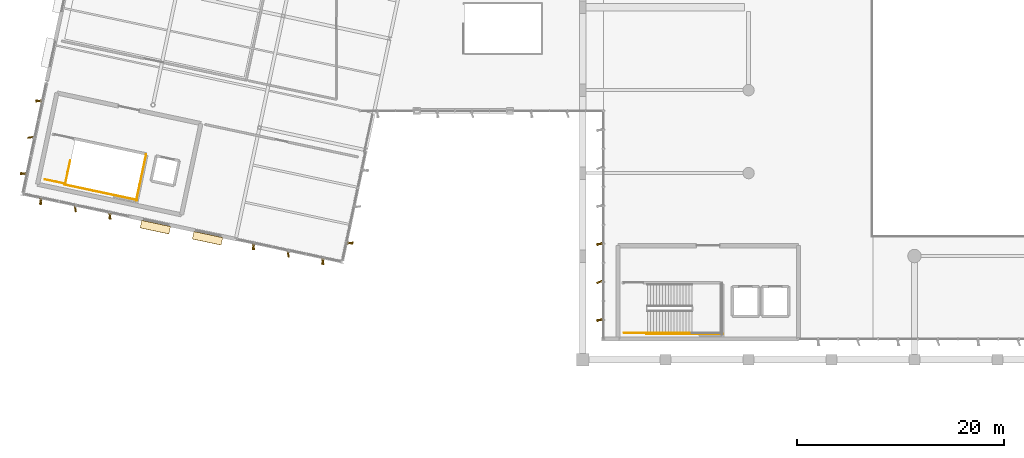
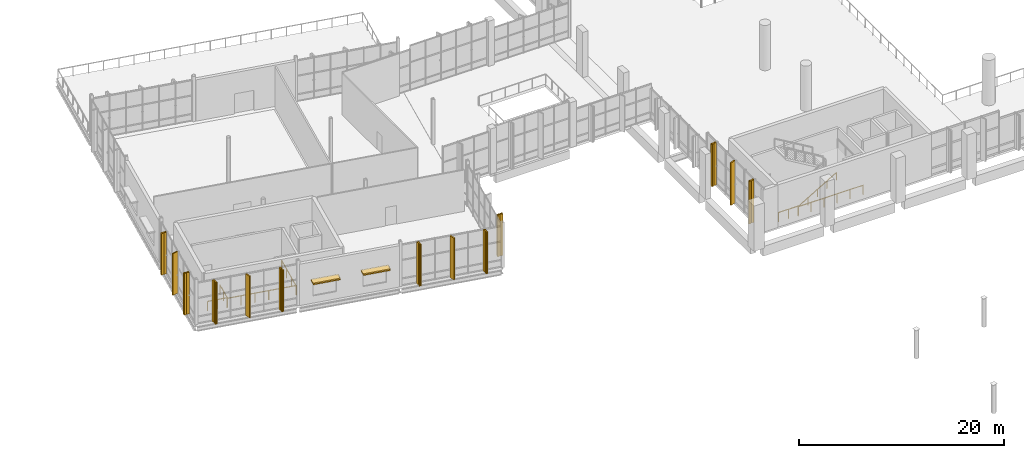
# One storey, part 159 of 176: 15 shading devices, 11 coverings, 7 railings.
"""IFC4 building model written with IfcOpenShell, lengths in metres."""

from ifc_helpers import new_model, si_unit, direction, frame, origin, origin_2d, place, context, subcontext, project, spatial, rectangle, extrude, material, layer, layer_set, type_object, element, save


model = new_model("IFC4")

# Units and contexts
model_context = context("Model", 3, precision=1e-05, world=origin(), true_north=direction((0.0, 1.0)))
body_context = subcontext(model_context, "Body", "Model", "MODEL_VIEW")
ifc_project = project(units=[si_unit("LENGTHUNIT", "METRE"), si_unit("AREAUNIT", "SQUARE_METRE"), si_unit("VOLUMEUNIT", "CUBIC_METRE"), si_unit("PLANEANGLEUNIT", "RADIAN"), si_unit("MASSUNIT", "GRAM", prefix="KILO")], contexts=[model_context])

# Site, building, storey
site_placement = place(None, origin())
site = spatial("IfcSite", under=ifc_project, at=site_placement, CompositionType="ELEMENT")
building_placement = place(site_placement, origin())
building = spatial("IfcBuilding", under=site, at=building_placement, Name="Khorjan Park Terminus", CompositionType="ELEMENT")
storey_placement = place(building_placement, frame((0.0, 0.0, 6.0)))
storey = spatial("IfcBuildingStorey", under=building, at=storey_placement, Name="L01", CompositionType="ELEMENT", Elevation=6.0)

# Coverings
ifc_material_1 = material(Name="Pigmented Precast GRC", Category="concrete")
ifc_layer_1 = layer(ifc_material_1, 0.16)
ifc_layer_set_1 = layer_set([ifc_layer_1], Name="Pigmented Precast GRC")
covering_type_1 = type_object("IfcCoveringType", Name="CV-FIN-GRC", PredefinedType="CLADDING", material=ifc_layer_set_1)
for number, where, z_axis, x_axis, name in (
    (1, (49.645, 37.1667, -0.02), (0.0, 0.0, 1.0), (1.0, 0.0, 0.0), "Projecting desert-sandstone GRC facade fin CL-FN1 (CW-V2-W-L01-01-1)"),
    (2, (49.645, 29.8333, -0.02), (0.0, 0.0, 1.0), (1.0, 0.0, 0.0), "Projecting desert-sandstone GRC facade fin CL-FN1 (CW-V2-W-L01-01-5)"),
):
    element("IfcCovering", number, at=place(storey_placement, frame(where, z_axis=z_axis, x_axis=x_axis)), inside=storey, type_object=covering_type_1, Name=name, PredefinedType="CLADDING", context=body_context, shape_type="SweptSolid", body=[
        extrude(rectangle(XDim=0.58, YDim=0.16, at=origin_2d()), origin(), (0.0, 0.0, 1.0), 5.065),
    ])
for number, where, z_axis, x_axis, name in (
    (3, (-4.2755, 41.2706, -0.02), (0.0, 0.0, 1.0), (0.207911690818, 0.978147600734, 0.0), "Projecting desert-sandstone GRC facade fin CL-FN1 (CW-V4-S-L01-B01-1)"),
    (4, (2.4087, 39.8498, -0.02), (0.0, 0.0, 1.0), (0.207911690818, 0.978147600734, 0.0), "Projecting desert-sandstone GRC facade fin CL-FN1 (CW-V4-S-L01-B01-5)"),
    (5, (16.2557, 36.9066, -0.02), (0.0, 0.0, 1.0), (0.207911690818, 0.978147600734, 0.0), "Projecting desert-sandstone GRC facade fin CL-FN1 (CW-V4-S-L01-B03-1)"),
    (6, (22.9399, 35.4858, -0.02), (0.0, 0.0, 1.0), (0.207911690818, 0.978147600734, 0.0), "Projecting desert-sandstone GRC facade fin CL-FN1 (CW-V4-S-L01-B03-5)"),
    (7, (25.5581, 37.2552, -0.02), (0.0, 0.0, 1.0), (-0.978147600734, 0.207911690818, 0.0), "Projecting desert-sandstone GRC facade fin CL-FN1 (CW-V4-E-L01-B01-1)"),
    (8, (-4.4593, 50.9557, -0.02), (0.0, 0.0, 1.0), (0.978147600734, -0.207911690818, 0.0), "Projecting desert-sandstone GRC facade fin CL-FN1 (CW-V4-W-L01-B03-1)"),
    (9, (-5.948, 43.9519, -0.02), (0.0, 0.0, 1.0), (0.978147600734, -0.207911690818, 0.0), "Projecting desert-sandstone GRC facade fin CL-FN1 (CW-V4-W-L01-B03-5)"),
):
    element("IfcCovering", number, at=place(storey_placement, frame(where, z_axis=z_axis, x_axis=x_axis)), inside=storey, type_object=covering_type_1, Name=name, PredefinedType="CLADDING", context=body_context, shape_type="SweptSolid", body=[
        extrude(rectangle(XDim=0.58, YDim=0.16, at=origin_2d()), origin(), (0.0, 0.0, 1.0), 4.97),
    ])
ifc_layer_2 = layer(ifc_material_1, 0.18)
ifc_layer_set_2 = layer_set([ifc_layer_2], Name="Pigmented Precast GRC")
covering_type_2 = type_object("IfcCoveringType", Name="CV-HOOD-GRC", PredefinedType="CLADDING", material=ifc_layer_set_2)
for number, where, z_axis, x_axis, name in (
    (10, (6.788, 38.7809, 2.73), (0.0, 0.0, 1.0), (0.978149513341, -0.207902692503, 0.0), "Projecting desert-sandstone GRC window eyebrow CL-HD1 (EW-V4-S-L01-B02-1)"),
    (11, (11.8203, 37.7113, 2.73), (0.0, 0.0, 1.0), (0.978149513341, -0.207902692503, 0.0), "Projecting desert-sandstone GRC window eyebrow CL-HD1 (EW-V4-S-L01-B02-2)"),
):
    element("IfcCovering", number, at=place(storey_placement, frame(where, z_axis=z_axis, x_axis=x_axis)), inside=storey, type_object=covering_type_2, Name=name, PredefinedType="CLADDING", context=body_context, shape_type="SweptSolid", body=[
        extrude(rectangle(XDim=2.84, YDim=0.74, at=origin_2d()), origin(), (0.0, 0.0, 1.0), 0.16),
    ])

# Railings
ifc_material_2 = material(Name="Steel S355", Category="steel")
railing_type_1 = type_object("IfcRailingType", Name="GR-112", PredefinedType="GUARDRAIL", material=ifc_material_2)
railing_1_placement = place(storey_placement, frame((52.0, 28.6, 0.0)))
element("IfcRailing", 12, at=railing_1_placement, inside=storey, type_object=railing_type_1, Name="L01 ST-01 stair guard 7", PredefinedType="GUARDRAIL", context=body_context, shape_type="SweptSolid", body=[
    extrude(rectangle(XDim=0.048, YDim=0.048, at=origin_2d()), frame((0.0, 0.0, 1.096), z_axis=(1.0, 0.0, 0.0), x_axis=(0.0, 1.0, 0.0)), (0.0, 0.0, 1.0), 2.26),
    extrude(rectangle(XDim=0.042, YDim=0.042, at=origin_2d()), origin(), (0.0, 0.0, 1.0), 1.072),
    extrude(rectangle(XDim=0.042, YDim=0.042, at=origin_2d()), frame((1.13, 0.0, 0.0)), (0.0, 0.0, 1.0), 1.072),
    extrude(rectangle(XDim=0.042, YDim=0.042, at=origin_2d()), frame((2.26, 0.0, 0.0)), (0.0, 0.0, 1.0), 1.072),
])
railing_2_placement = place(storey_placement, frame((54.16, 28.5, 0.0)))
element("IfcRailing", 13, at=railing_2_placement, inside=storey, type_object=railing_type_1, Name="L01 ST-01 stair guard 8", PredefinedType="GUARDRAIL", context=body_context, shape_type="SweptSolid", body=[
    extrude(rectangle(XDim=0.048, YDim=0.048, at=origin_2d()), frame((0.0, 0.0, 1.096), z_axis=(1.0, 0.0, 0.0), x_axis=(0.0, 1.0, 0.0)), (0.0, 0.0, 1.0), 7.34),
    extrude(rectangle(XDim=0.042, YDim=0.042, at=origin_2d()), origin(), (0.0, 0.0, 1.0), 1.072),
    extrude(rectangle(XDim=0.042, YDim=0.042, at=origin_2d()), frame((1.468, 0.0, 0.0)), (0.0, 0.0, 1.0), 1.072),
    extrude(rectangle(XDim=0.042, YDim=0.042, at=origin_2d()), frame((2.936, 0.0, 0.0)), (0.0, 0.0, 1.0), 1.072),
    extrude(rectangle(XDim=0.042, YDim=0.042, at=origin_2d()), frame((4.404, 0.0, 0.0)), (0.0, 0.0, 1.0), 1.072),
    extrude(rectangle(XDim=0.042, YDim=0.042, at=origin_2d()), frame((5.872, 0.0, 0.0)), (0.0, 0.0, 1.0), 1.072),
    extrude(rectangle(XDim=0.042, YDim=0.042, at=origin_2d()), frame((7.34, 0.0, 0.0)), (0.0, 0.0, 1.0), 1.072),
])
railing_3_placement = place(storey_placement, frame((-1.9094, 42.9196, 0.0)))
element("IfcRailing", 14, at=railing_3_placement, inside=storey, type_object=railing_type_1, Name="L01 ST-08 top well guard 1", PredefinedType="GUARDRAIL", context=body_context, shape_type="SweptSolid", body=[
    extrude(rectangle(XDim=0.048, YDim=0.048, at=origin_2d()), frame((0.0, 0.0, 1.096), z_axis=(0.207885108618, 0.978153250577, 0.0), x_axis=(-0.978153250577, 0.207885108618, 0.0)), (0.0, 0.0, 1.0), 2.36),
    extrude(rectangle(XDim=0.042, YDim=0.042, at=origin_2d()), origin(), (0.0, 0.0, 1.0), 1.072),
    extrude(rectangle(XDim=0.042, YDim=0.042, at=origin_2d()), frame((0.2453, 1.1542, 0.0)), (0.0, 0.0, 1.0), 1.072),
    extrude(rectangle(XDim=0.042, YDim=0.042, at=origin_2d()), frame((0.4906, 2.3084, 0.0)), (0.0, 0.0, 1.0), 1.072),
])
railing_4_placement = place(storey_placement, frame((-1.9687, 42.8811, 0.0)))
element("IfcRailing", 15, at=railing_4_placement, inside=storey, type_object=railing_type_1, Name="L01 ST-08 top well guard 2", PredefinedType="GUARDRAIL", context=body_context, shape_type="SweptSolid", body=[
    extrude(rectangle(XDim=0.048, YDim=0.048, at=origin_2d()), frame((0.0, 0.0, 1.096), z_axis=(0.978146853642, -0.207915205577, 0.0), x_axis=(0.207915205577, 0.978146853642, 0.0)), (0.0, 0.0, 1.0), 7.1399),
    extrude(rectangle(XDim=0.042, YDim=0.042, at=origin_2d()), origin(), (0.0, 0.0, 1.0), 1.072),
    extrude(rectangle(XDim=0.042, YDim=0.042, at=origin_2d()), frame((1.3968, -0.2969, 0.0)), (0.0, 0.0, 1.0), 1.072),
    extrude(rectangle(XDim=0.042, YDim=0.042, at=origin_2d()), frame((2.7936, -0.5938, 0.0)), (0.0, 0.0, 1.0), 1.072),
    extrude(rectangle(XDim=0.042, YDim=0.042, at=origin_2d()), frame((4.1903, -0.8907, 0.0)), (0.0, 0.0, 1.0), 1.072),
    extrude(rectangle(XDim=0.042, YDim=0.042, at=origin_2d()), frame((5.5871, -1.1876, 0.0)), (0.0, 0.0, 1.0), 1.072),
    extrude(rectangle(XDim=0.042, YDim=0.042, at=origin_2d()), frame((6.9839, -1.4845, 0.0)), (0.0, 0.0, 1.0), 1.072),
])
railing_5_placement = place(storey_placement, frame((4.9559, 41.3581, 0.0)))
element("IfcRailing", 16, at=railing_5_placement, inside=storey, type_object=railing_type_1, Name="L01 ST-08 top well guard 3", PredefinedType="GUARDRAIL", context=body_context, shape_type="SweptSolid", body=[
    extrude(rectangle(XDim=0.048, YDim=0.048, at=origin_2d()), frame((0.0, 0.0, 1.096), z_axis=(0.207918818, 0.978146085777, 0.0), x_axis=(-0.978146085777, 0.207918818, 0.0)), (0.0, 0.0, 1.0), 4.56),
    extrude(rectangle(XDim=0.042, YDim=0.042, at=origin_2d()), origin(), (0.0, 0.0, 1.0), 1.072),
    extrude(rectangle(XDim=0.042, YDim=0.042, at=origin_2d()), frame((0.316, 1.4868, 0.0)), (0.0, 0.0, 1.0), 1.072),
    extrude(rectangle(XDim=0.042, YDim=0.042, at=origin_2d()), frame((0.6321, 2.9735, 0.0)), (0.0, 0.0, 1.0), 1.072),
    extrude(rectangle(XDim=0.042, YDim=0.042, at=origin_2d()), frame((0.9481, 4.4603, 0.0)), (0.0, 0.0, 1.0), 1.072),
])
railing_6_placement = place(storey_placement, frame((-3.8651, 43.3864, 0.0)))
element("IfcRailing", 17, at=railing_6_placement, inside=storey, type_object=railing_type_1, Name="L01 ST-08 top well guard 4", PredefinedType="GUARDRAIL", context=body_context, shape_type="SweptSolid", body=[
    extrude(rectangle(XDim=0.048, YDim=0.048, at=origin_2d()), frame((0.0, 0.0, 1.096), z_axis=(0.978147746029, -0.207911007258, 0.0), x_axis=(0.207911007258, 0.978147746029, 0.0)), (0.0, 0.0, 1.0), 2.06),
    extrude(rectangle(XDim=0.042, YDim=0.042, at=origin_2d()), origin(), (0.0, 0.0, 1.0), 1.072),
    extrude(rectangle(XDim=0.042, YDim=0.042, at=origin_2d()), frame((1.0075, -0.2142, 0.0)), (0.0, 0.0, 1.0), 1.072),
    extrude(rectangle(XDim=0.042, YDim=0.042, at=origin_2d()), frame((2.015, -0.4283, 0.0)), (0.0, 0.0, 1.0), 1.072),
])
railing_type_2 = type_object("IfcRailingType", Name="HR-92", PredefinedType="HANDRAIL", material=ifc_material_2)
railing_7_placement = place(storey_placement, frame((54.26, 28.6, 0.1688)))
element("IfcRailing", 18, at=railing_7_placement, inside=storey, type_object=railing_type_2, Name="L01 ST-01 stair handrail 1", PredefinedType="HANDRAIL", context=body_context, shape_type="SweptSolid", body=[
    extrude(rectangle(XDim=0.048, YDim=0.048, at=origin_2d()), frame((0.0, 0.0, 0.896), z_axis=(0.860479801158, 0.0, 0.509484555015), x_axis=(0.0, 1.0, 0.0)), (0.0, 0.0, 1.0), 4.9682),
    extrude(rectangle(XDim=0.042, YDim=0.042, at=origin_2d()), origin(), (0.0, 0.0, 1.0), 0.872),
    extrude(rectangle(XDim=0.042, YDim=0.042, at=origin_2d()), frame((1.0687, 0.0, 0.6328)), (0.0, 0.0, 1.0), 0.872),
    extrude(rectangle(XDim=0.042, YDim=0.042, at=origin_2d()), frame((2.1375, 0.0, 1.2656)), (0.0, 0.0, 1.0), 0.872),
    extrude(rectangle(XDim=0.042, YDim=0.042, at=origin_2d()), frame((3.2062, 0.0, 1.8984)), (0.0, 0.0, 1.0), 0.872),
    extrude(rectangle(XDim=0.042, YDim=0.042, at=origin_2d()), frame((4.275, 0.0, 2.5312)), (0.0, 0.0, 1.0), 0.872),
])

# Shading devices
ifc_material_3 = material(Name="Anodized Bronze Aluminium", Category="aluminium")
shading_device_type_1 = type_object("IfcShadingDeviceType", Name="SD-FIN-620", PredefinedType="JALOUSIE", material=ifc_material_3)
for number, where, z_axis, x_axis, name in (
    (19, (49.645, 37.1667, -0.02), (0.0, 0.0, 1.0), (0.927183854567, 0.374606593416, 0.0), "Angled solar brise-soleil fin SF-62 (CW-V2-W-L01-01-1)"),
    (20, (49.645, 33.5, -0.02), (0.0, 0.0, 1.0), (0.927183854567, 0.374606593416, 0.0), "Angled solar brise-soleil fin SF-62 (CW-V2-W-L01-01-3)"),
    (21, (49.645, 29.8333, -0.02), (0.0, 0.0, 1.0), (0.927183854567, 0.374606593416, 0.0), "Angled solar brise-soleil fin SF-62 (CW-V2-W-L01-01-5)"),
):
    element("IfcShadingDevice", number, at=place(storey_placement, frame(where, z_axis=z_axis, x_axis=x_axis)), inside=storey, type_object=shading_device_type_1, Name=name, PredefinedType="JALOUSIE", context=body_context, shape_type="SweptSolid", body=[
        extrude(rectangle(XDim=0.62, YDim=0.14, at=origin_2d()), origin(), (0.0, 0.0, 1.0), 5.065),
    ])
for number, where, z_axis, x_axis, name in (
    (22, (-4.2755, 41.2706, -0.02), (0.0, 0.0, 1.0), (-0.173648177667, 0.984807753012, 0.0), "Angled solar brise-soleil fin SF-62 (CW-V4-S-L01-B01-1)"),
    (23, (-0.9334, 40.5602, -0.02), (0.0, 0.0, 1.0), (-0.173648177667, 0.984807753012, 0.0), "Angled solar brise-soleil fin SF-62 (CW-V4-S-L01-B01-3)"),
    (24, (2.4087, 39.8498, -0.02), (0.0, 0.0, 1.0), (-0.173648177667, 0.984807753012, 0.0), "Angled solar brise-soleil fin SF-62 (CW-V4-S-L01-B01-5)"),
    (25, (16.2557, 36.9066, -0.02), (0.0, 0.0, 1.0), (-0.173648177667, 0.984807753012, 0.0), "Angled solar brise-soleil fin SF-62 (CW-V4-S-L01-B03-1)"),
    (26, (19.5978, 36.1962, -0.02), (0.0, 0.0, 1.0), (-0.173648177667, 0.984807753012, 0.0), "Angled solar brise-soleil fin SF-62 (CW-V4-S-L01-B03-3)"),
    (27, (22.9399, 35.4858, -0.02), (0.0, 0.0, 1.0), (-0.173648177667, 0.984807753012, 0.0), "Angled solar brise-soleil fin SF-62 (CW-V4-S-L01-B03-5)"),
    (28, (25.5581, 37.2552, -0.02), (0.0, 0.0, 1.0), (-0.984807753012, -0.173648177667, 0.0), "Angled solar brise-soleil fin SF-62 (CW-V4-E-L01-B01-1)"),
    (29, (-4.4593, 50.9557, -0.02), (0.0, 0.0, 1.0), (0.984807753012, 0.173648177667, 0.0), "Angled solar brise-soleil fin SF-62 (CW-V4-W-L01-B03-1)"),
    (30, (-5.2036, 47.4538, -0.02), (0.0, 0.0, 1.0), (0.984807753012, 0.173648177667, 0.0), "Angled solar brise-soleil fin SF-62 (CW-V4-W-L01-B03-3)"),
    (31, (-5.948, 43.9519, -0.02), (0.0, 0.0, 1.0), (0.984807753012, 0.173648177667, 0.0), "Angled solar brise-soleil fin SF-62 (CW-V4-W-L01-B03-5)"),
):
    element("IfcShadingDevice", number, at=place(storey_placement, frame(where, z_axis=z_axis, x_axis=x_axis)), inside=storey, type_object=shading_device_type_1, Name=name, PredefinedType="JALOUSIE", context=body_context, shape_type="SweptSolid", body=[
        extrude(rectangle(XDim=0.62, YDim=0.14, at=origin_2d()), origin(), (0.0, 0.0, 1.0), 4.97),
    ])
shading_device_type_2 = type_object("IfcShadingDeviceType", Name="SD-SUN-750", PredefinedType="SHUTTER", material=ifc_material_3)
for number, where, z_axis, x_axis, name in (
    (32, (6.788, 38.7809, 2.66), (0.0, 0.0, 1.0), (0.978149513341, -0.207902692503, 0.0), "Projecting solar overhang hood SH-75 (EW-V4-S-L01-B02-1)"),
    (33, (11.8203, 37.7113, 2.66), (0.0, 0.0, 1.0), (0.978149513341, -0.207902692503, 0.0), "Projecting solar overhang hood SH-75 (EW-V4-S-L01-B02-2)"),
):
    element("IfcShadingDevice", number, at=place(storey_placement, frame(where, z_axis=z_axis, x_axis=x_axis)), inside=storey, type_object=shading_device_type_2, Name=name, PredefinedType="SHUTTER", context=body_context, shape_type="SweptSolid", body=[
        extrude(rectangle(XDim=2.76, YDim=0.76, at=origin_2d()), origin(), (0.0, 0.0, 1.0), 0.14),
    ])

save(model, "model.ifc")
